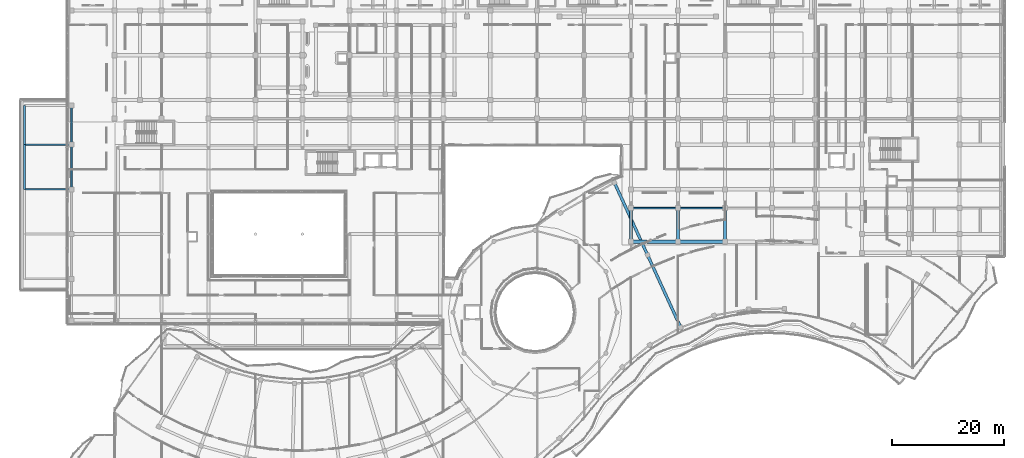
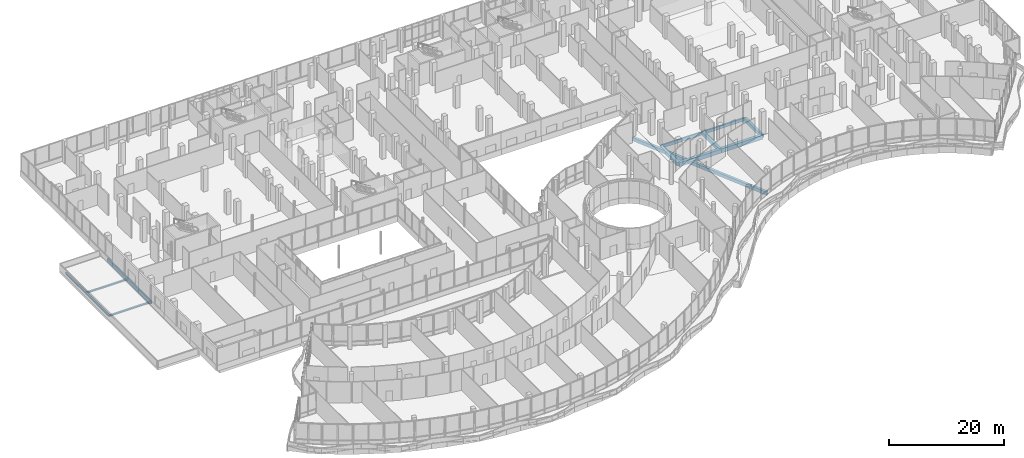
# One storey, part 67 of 168: 15 beams.
"""IFC4 building model written with IfcOpenShell, lengths in metres."""

from ifc_helpers import new_model, si_unit, direction, frame, origin, origin_2d, place, context, subcontext, project, spatial, rectangle, i_section, extrude, material, material_profile, profile_set, type_object, element, save


model = new_model("IFC4")

# Units and contexts
model_context = context("Model", 3, precision=1e-05, world=origin(), true_north=direction((0.0, 1.0)))
body_context = subcontext(model_context, "Body", "Model", "MODEL_VIEW")
ifc_project = project(units=[si_unit("LENGTHUNIT", "METRE"), si_unit("AREAUNIT", "SQUARE_METRE"), si_unit("VOLUMEUNIT", "CUBIC_METRE"), si_unit("PLANEANGLEUNIT", "RADIAN"), si_unit("MASSUNIT", "GRAM", prefix="KILO")], contexts=[model_context])

# Site, building, storey
site_placement = place(None, origin())
site = spatial("IfcSite", under=ifc_project, at=site_placement, CompositionType="ELEMENT")
building_placement = place(site_placement, origin())
building = spatial("IfcBuilding", under=site, at=building_placement, Name="Selatvlak General Hospital", CompositionType="ELEMENT")
storey_placement = place(building_placement, frame((0.0, 0.0, 5.39990234375)))
storey = spatial("IfcBuildingStorey", under=building, at=storey_placement, Name="L01", CompositionType="ELEMENT", Elevation=5.39990234375)

# Beams
ifc_material_1 = material(Name="Steel S355", Category="steel")
ifc_material_profile_1 = material_profile(ifc_material_1, i_section(OverallWidth=0.300048828125, OverallDepth=0.320068359375, WebThickness=0.011474609375, FlangeThickness=0.0205078125, at=origin_2d()), Name="HEB 320")
ifc_profile_set_1 = profile_set([ifc_material_profile_1], Name="Steel S355")
beam_type_1 = type_object("IfcBeamType", Name="BM-CAN", PredefinedType="BEAM", material=ifc_profile_set_1)
beam_1_placement = place(storey_placement, frame((6.64990234375, 76.0, -0.47998046875), z_axis=(0.0, 1.0, 0.0), x_axis=(-1.0, 0.0, 0.0)))
element("IfcBeam", 1, at=beam_1_placement, inside=storey, type_object=beam_type_1, Name="Beam BMR-L01-2932", PredefinedType="BEAM", context=body_context, shape_type="SweptSolid", body=[
    extrude(i_section(OverallWidth=0.300048828125, OverallDepth=0.320068359375, WebThickness=0.011474609375, FlangeThickness=0.0205078125, at=origin_2d()), origin(), (0.0, 0.0, 1.0), 8.0),
])
beam_2_placement = place(storey_placement, frame((6.64990234375, 84.0, -0.47998046875), z_axis=(0.0, 1.0, 0.0), x_axis=(-1.0, 0.0, 0.0)))
element("IfcBeam", 2, at=beam_2_placement, inside=storey, type_object=beam_type_1, Name="Beam BMR-L01-2933", PredefinedType="BEAM", context=body_context, shape_type="SweptSolid", body=[
    extrude(i_section(OverallWidth=0.300048828125, OverallDepth=0.320068359375, WebThickness=0.011474609375, FlangeThickness=0.0205078125, at=origin_2d()), origin(), (0.0, 0.0, 1.0), 7.0),
])
for number, where, z_axis, x_axis, name in (
    (3, (6.64990234375, 76.0, -0.47998046875), (1.0, 0.0, 0.0), (0.0, 1.0, 0.0), "Beam BMR-L01-2936"),
    (4, (6.64990234375, 84.0, -0.47998046875), (1.0, 0.0, 0.0), (0.0, 1.0, 0.0), "Beam BMR-L01-2937"),
):
    element("IfcBeam", number, at=place(storey_placement, frame(where, z_axis=z_axis, x_axis=x_axis)), inside=storey, type_object=beam_type_1, Name=name, PredefinedType="BEAM", context=body_context, shape_type="SweptSolid", body=[
        extrude(i_section(OverallWidth=0.300048828125, OverallDepth=0.320068359375, WebThickness=0.011474609375, FlangeThickness=0.0205078125, at=origin_2d()), origin(), (0.0, 0.0, 1.0), 8.400146484375),
    ])
ifc_material_2 = material(Name="Concrete C40/50", Category="concrete")
ifc_material_profile_2 = material_profile(ifc_material_2, rectangle(XDim=0.60009765625, YDim=0.85009765625, at=origin_2d()), Name="RC-BM 600x850")
ifc_profile_set_2 = profile_set([ifc_material_profile_2], Name="Concrete C40/50")
beam_type_2 = type_object("IfcBeamType", Name="BM-G01", PredefinedType="BEAM", material=ifc_profile_set_2)
beam_3_placement = place(storey_placement, frame((115.199951171875, 66.64990234375, -0.744873046875), z_axis=(1.0, 0.0, 0.0), x_axis=(0.0, 1.0, 0.0)))
element("IfcBeam", 5, at=beam_3_placement, inside=storey, type_object=beam_type_2, Name="Beam BMR-L01-0395", PredefinedType="BEAM", context=body_context, shape_type="SweptSolid", body=[
    extrude(rectangle(XDim=0.60009765625, YDim=0.85009765625, at=origin_2d()), origin(), (0.0, 0.0, 1.0), 8.400146484375),
])
beam_4_placement = place(storey_placement, frame((123.60009765625, 66.64990234375, -0.744873046875), z_axis=(1.0, 0.0, 0.0), x_axis=(0.0, 1.0, 0.0)))
element("IfcBeam", 6, at=beam_4_placement, inside=storey, type_object=beam_type_2, Name="Beam BMR-L01-0396", PredefinedType="BEAM", context=body_context, shape_type="SweptSolid", body=[
    extrude(rectangle(XDim=0.60009765625, YDim=0.85009765625, at=origin_2d()), origin(), (0.0, 0.0, 1.0), 8.39990234375),
])
ifc_material_profile_3 = material_profile(ifc_material_2, rectangle(XDim=0.550048828125, YDim=0.75, at=origin_2d()), Name="RC-BM 550x750")
ifc_profile_set_3 = profile_set([ifc_material_profile_3], Name="Concrete C40/50")
beam_type_3 = type_object("IfcBeamType", Name="BM-G02", PredefinedType="BEAM", material=ifc_profile_set_3)
for number, where, z_axis, x_axis, name in (
    (7, (115.199951171875, 66.64990234375, -0.69482421875), (0.0, 1.0, 0.0), (-1.0, 0.0, 0.0), "Beam BMR-L01-0616"),
    (8, (123.60009765625, 66.64990234375, -0.69482421875), (0.0, 1.0, 0.0), (-1.0, 0.0, 0.0), "Beam BMR-L01-0623"),
    (9, (132.0, 66.64990234375, -0.69482421875), (0.0, 1.0, 0.0), (-1.0, 0.0, 0.0), "Beam BMR-L01-0632"),
):
    element("IfcBeam", number, at=place(storey_placement, frame(where, z_axis=z_axis, x_axis=x_axis)), inside=storey, type_object=beam_type_3, Name=name, PredefinedType="BEAM", context=body_context, shape_type="SweptSolid", body=[
        extrude(rectangle(XDim=0.550048828125, YDim=0.75, at=origin_2d()), origin(), (0.0, 0.0, 1.0), 6.0),
    ])
ifc_material_profile_4 = material_profile(ifc_material_2, rectangle(XDim=0.5, YDim=0.699951171875, at=origin_2d()), Name="RC-BM 500x700")
ifc_profile_set_4 = profile_set([ifc_material_profile_4], Name="Concrete C40/50")
beam_type_4 = type_object("IfcBeamType", Name="BM-G03", PredefinedType="BEAM", material=ifc_profile_set_4)
for number, where, z_axis, x_axis, name in (
    (10, (112.221923828125, 77.195068359375, -0.669921875), (0.416220472097, -0.909263723354, 0.0), (0.909263723354, 0.416220472097, 0.0), "Beam BMR-L01-0733"),
    (11, (118.153076171875, 64.238037109375, -0.669921875), (0.416206307352, -0.909270207211, 0.0), (0.909270207211, 0.416206307352, 0.0), "Beam BMR-L01-0734"),
):
    element("IfcBeam", number, at=place(storey_placement, frame(where, z_axis=z_axis, x_axis=x_axis)), inside=storey, type_object=beam_type_4, Name=name, PredefinedType="BEAM", context=body_context, shape_type="SweptSolid", body=[
        extrude(rectangle(XDim=0.5, YDim=0.699951171875, at=origin_2d()), origin(), (0.0, 0.0, 1.0), 14.25),
    ])
ifc_material_profile_5 = material_profile(ifc_material_2, rectangle(XDim=0.300048828125, YDim=0.64990234375, at=origin_2d()), Name="RC-SP 300x650")
ifc_profile_set_5 = profile_set([ifc_material_profile_5], Name="Concrete C40/50")
beam_type_5 = type_object("IfcBeamType", Name="BM-SP1", PredefinedType="SPANDREL", material=ifc_profile_set_5)
beam_5_placement = place(storey_placement, frame((115.199951171875, 72.64990234375, -0.64501953125), z_axis=(1.0, 0.0, 0.0), x_axis=(0.0, 1.0, 0.0)))
element("IfcBeam", 12, at=beam_5_placement, inside=storey, type_object=beam_type_5, Name="Beam BMR-L01-0406", PredefinedType="SPANDREL", context=body_context, shape_type="SweptSolid", body=[
    extrude(rectangle(XDim=0.300048828125, YDim=0.64990234375, at=origin_2d()), origin(), (0.0, 0.0, 1.0), 8.400146484375),
])
beam_6_placement = place(storey_placement, frame((123.60009765625, 72.64990234375, -0.64501953125), z_axis=(1.0, 0.0, 0.0), x_axis=(0.0, 1.0, 0.0)))
element("IfcBeam", 13, at=beam_6_placement, inside=storey, type_object=beam_type_5, Name="Beam BMR-L01-0407", PredefinedType="SPANDREL", context=body_context, shape_type="SweptSolid", body=[
    extrude(rectangle(XDim=0.300048828125, YDim=0.64990234375, at=origin_2d()), origin(), (0.0, 0.0, 1.0), 8.39990234375),
])
beam_7_placement = place(storey_placement, frame((15.050048828125, 76.0, -0.64501953125), z_axis=(0.0, 1.0, 0.0), x_axis=(-1.0, 0.0, 0.0)))
element("IfcBeam", 14, at=beam_7_placement, inside=storey, type_object=beam_type_5, Name="Beam BMR-L01-0543", PredefinedType="SPANDREL", context=body_context, shape_type="SweptSolid", body=[
    extrude(rectangle(XDim=0.300048828125, YDim=0.64990234375, at=origin_2d()), origin(), (0.0, 0.0, 1.0), 8.0),
])
beam_8_placement = place(storey_placement, frame((15.050048828125, 84.0, -0.64501953125), z_axis=(0.0, 1.0, 0.0), x_axis=(-1.0, 0.0, 0.0)))
element("IfcBeam", 15, at=beam_8_placement, inside=storey, type_object=beam_type_5, Name="Beam BMR-L01-0544", PredefinedType="SPANDREL", context=body_context, shape_type="SweptSolid", body=[
    extrude(rectangle(XDim=0.300048828125, YDim=0.64990234375, at=origin_2d()), origin(), (0.0, 0.0, 1.0), 7.0),
])

save(model, "model.ifc")
